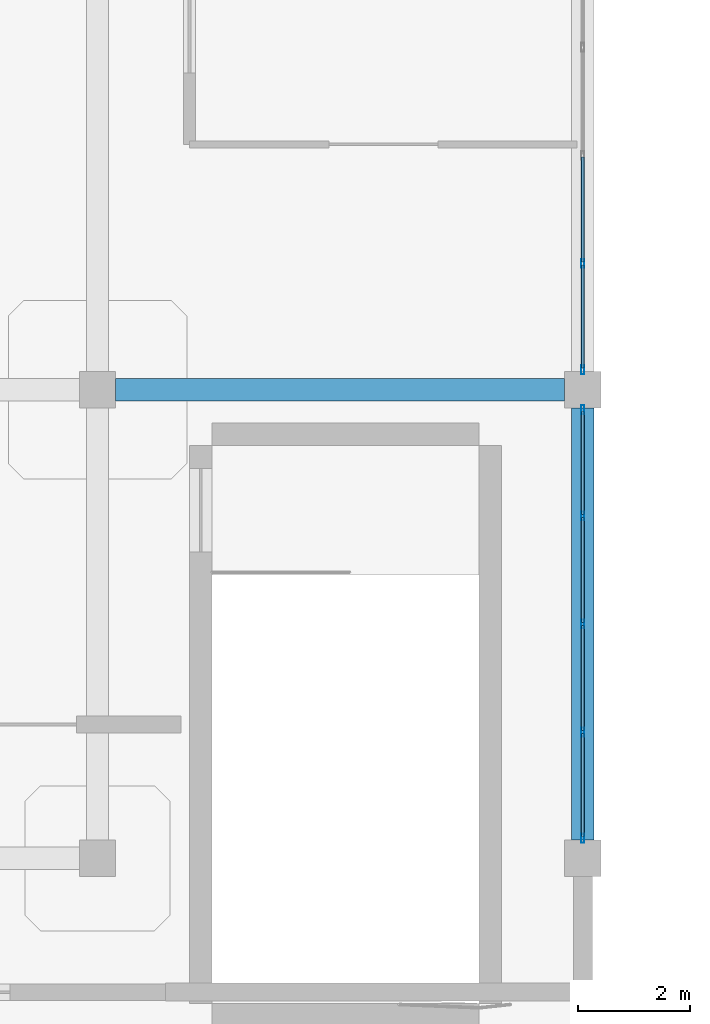
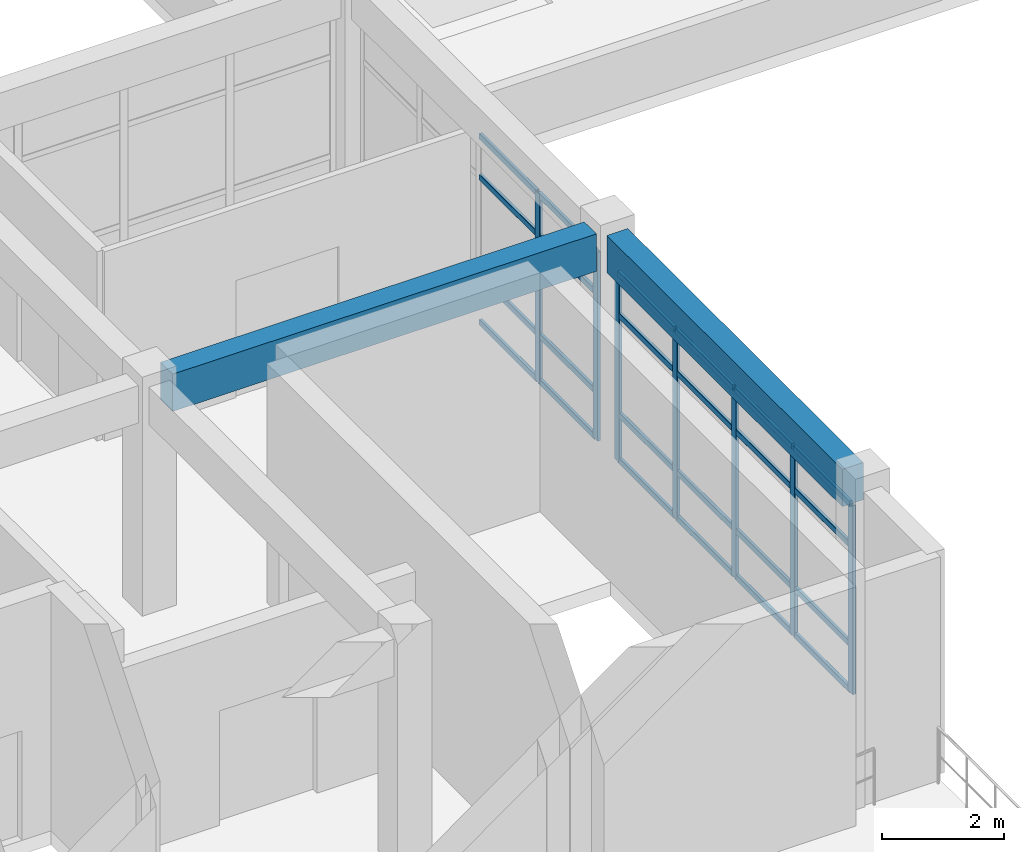
# One storey, part 20 of 41: 31 members, 2 beams, 2 elements without a shape of their own.
"""IFC4 building model written with IfcOpenShell, lengths in metres."""

from ifc_helpers import new_model, si_unit, derived_unit, direction, frame, origin, origin_2d, place, context, subcontext, project, spatial, rectangle, hollow_rectangle, extrude, material, layer, layer_set, material_profile, profile_set, type_object, element, aggregate, save


model = new_model("IFC4")

# Units and contexts
model_context = context("Model", 3, precision=1e-05, world=origin(), true_north=direction((0.0, 1.0)))
body_context = subcontext(model_context, "Body", "Model", "MODEL_VIEW")
ifc_project = project(units=[si_unit("LENGTHUNIT", "METRE"), si_unit("AREAUNIT", "SQUARE_METRE"), si_unit("VOLUMEUNIT", "CUBIC_METRE"), si_unit("PLANEANGLEUNIT", "RADIAN"), si_unit("MASSUNIT", "GRAM", prefix="KILO"), derived_unit("THERMALTRANSMITTANCEUNIT", [(si_unit("MASSUNIT", "GRAM", prefix="KILO"), 1), (si_unit("TIMEUNIT", "SECOND"), -3), (si_unit("THERMODYNAMICTEMPERATUREUNIT", "KELVIN"), -1)])], contexts=[model_context])

# Site, building, storey
site_placement = place(None, origin())
site = spatial("IfcSite", under=ifc_project, at=site_placement, CompositionType="ELEMENT")
building_placement = place(site_placement, origin())
building = spatial("IfcBuilding", under=site, at=building_placement, Name="Qinzheling Arcade Emporium", CompositionType="ELEMENT")
storey_placement = place(building_placement, frame((0.0, 0.0, 36.300048828125)))
storey = spatial("IfcBuildingStorey", under=building, at=storey_placement, Name="L08", CompositionType="ELEMENT", Elevation=36.300048828125)

# Curtain wall, members
ifc_material_1 = material(Name="Anodised aluminium and solar-control double glazing", Category="aluminium")
ifc_layer = layer(ifc_material_1, 0.159912109375, Name="Anodised aluminium and solar-control double glazing", Category="aluminium")
ifc_layer_set = layer_set([ifc_layer], Name="Anodised aluminium and solar-control double glazing")
curtain_wall_type = type_object("IfcCurtainWallType", Name="Arcade Portal Glazed Curtain Wall", PredefinedType="NOTDEFINED", material=ifc_layer_set)
curtain_wall_1_placement = place(storey_placement, origin())
curtain_wall_1 = element("IfcCurtainWall", 1, at=curtain_wall_1_placement, inside=storey, type_object=curtain_wall_type, Name="Curtain Wall CW-L08-448", PredefinedType="NOTDEFINED")
ifc_material_2 = material(Name="Anodised aluminium 6063-T6", Category="aluminium")
ifc_material_profile_1 = material_profile(ifc_material_2, hollow_rectangle(XDim=0.06005859375, YDim=0.159912109375, WallThickness=0.00390625, InnerFilletRadius=0.00390625, OuterFilletRadius=0.008056640625, at=origin_2d()), Name="RHS 160x60x4", Category="aluminium")
ifc_profile_set_1 = profile_set([ifc_material_profile_1], Name="Anodised aluminium 6063-T6")
member_type_1 = type_object("IfcMemberType", Name="Curtain Wall Mullion RHS160x60", PredefinedType="MULLION", material=ifc_profile_set_1)
member_1_placement = place(storey_placement, frame((69.60009765625, 35.863525390625, 0.0), z_axis=(0.0, 0.0, 1.0), x_axis=(1.0, 0.0, 0.0)))
member_1 = element("IfcMember", 2, at=member_1_placement, type_object=member_type_1, Name="CW05 mullion 4", PredefinedType="MULLION", context=body_context, shape_type="SweptSolid", body=[
    extrude(hollow_rectangle(XDim=0.06005859375, YDim=0.159912109375, WallThickness=0.00390625, InnerFilletRadius=0.00390625, OuterFilletRadius=0.008056640625, at=origin_2d()), origin(), (0.0, 0.0, 1.0), 3.794921875),
])
member_2_placement = place(storey_placement, frame((69.60009765625, 33.95703125, 0.0), z_axis=(0.0, 0.0, 1.0), x_axis=(1.0, 0.0, 0.0)))
member_2 = element("IfcMember", 3, at=member_2_placement, type_object=member_type_1, Name="CW05 mullion 5", PredefinedType="MULLION", context=body_context, shape_type="SweptSolid", body=[
    extrude(hollow_rectangle(XDim=0.06005859375, YDim=0.159912109375, WallThickness=0.00390625, InnerFilletRadius=0.00390625, OuterFilletRadius=0.008056640625, at=origin_2d()), origin(), (0.0, 0.0, 1.0), 3.794921875),
])

curtain_wall_2_placement = place(storey_placement, origin())
curtain_wall_2 = element("IfcCurtainWall", 4, at=curtain_wall_2_placement, inside=storey, type_object=curtain_wall_type, Name="Curtain Wall CW-L08-449", PredefinedType="NOTDEFINED")
member_3_placement = place(storey_placement, frame((69.60009765625, 33.242919921875, 0.0), z_axis=(0.0, 0.0, 1.0), x_axis=(1.0, 0.0, 0.0)))
member_3 = element("IfcMember", 5, at=member_3_placement, type_object=member_type_1, Name="CW05 mullion 1", PredefinedType="MULLION", context=body_context, shape_type="SweptSolid", body=[
    extrude(hollow_rectangle(XDim=0.06005859375, YDim=0.159912109375, WallThickness=0.00390625, InnerFilletRadius=0.00390625, OuterFilletRadius=0.008056640625, at=origin_2d()), origin(), (0.0, 0.0, 1.0), 3.794921875),
])
member_4_placement = place(storey_placement, frame((69.60009765625, 31.33642578125, 0.0), z_axis=(0.0, 0.0, 1.0), x_axis=(1.0, 0.0, 0.0)))
member_4 = element("IfcMember", 6, at=member_4_placement, type_object=member_type_1, Name="CW05 mullion 2", PredefinedType="MULLION", context=body_context, shape_type="SweptSolid", body=[
    extrude(hollow_rectangle(XDim=0.06005859375, YDim=0.159912109375, WallThickness=0.00390625, InnerFilletRadius=0.00390625, OuterFilletRadius=0.008056640625, at=origin_2d()), origin(), (0.0, 0.0, 1.0), 3.794921875),
])
member_5_placement = place(storey_placement, frame((69.60009765625, 29.39990234375, 0.0), z_axis=(0.0, 0.0, 1.0), x_axis=(1.0, 0.0, 0.0)))
member_5 = element("IfcMember", 7, at=member_5_placement, type_object=member_type_1, Name="CW05 mullion 3", PredefinedType="MULLION", context=body_context, shape_type="SweptSolid", body=[
    extrude(hollow_rectangle(XDim=0.06005859375, YDim=0.159912109375, WallThickness=0.00390625, InnerFilletRadius=0.00390625, OuterFilletRadius=0.008056640625, at=origin_2d()), origin(), (0.0, 0.0, 1.0), 3.794921875),
])
member_6_placement = place(storey_placement, frame((69.60009765625, 27.46337890625, 0.0), z_axis=(0.0, 0.0, 1.0), x_axis=(1.0, 0.0, 0.0)))
member_6 = element("IfcMember", 8, at=member_6_placement, type_object=member_type_1, Name="CW05 mullion 4", PredefinedType="MULLION", context=body_context, shape_type="SweptSolid", body=[
    extrude(hollow_rectangle(XDim=0.06005859375, YDim=0.159912109375, WallThickness=0.00390625, InnerFilletRadius=0.00390625, OuterFilletRadius=0.008056640625, at=origin_2d()), origin(), (0.0, 0.0, 1.0), 3.794921875),
])
member_7_placement = place(storey_placement, frame((69.60009765625, 25.556884765625, 0.0), z_axis=(0.0, 0.0, 1.0), x_axis=(1.0, 0.0, 0.0)))
member_7 = element("IfcMember", 9, at=member_7_placement, type_object=member_type_1, Name="CW05 mullion 5", PredefinedType="MULLION", context=body_context, shape_type="SweptSolid", body=[
    extrude(hollow_rectangle(XDim=0.06005859375, YDim=0.159912109375, WallThickness=0.00390625, InnerFilletRadius=0.00390625, OuterFilletRadius=0.008056640625, at=origin_2d()), origin(), (0.0, 0.0, 1.0), 3.794921875),
])

# Member
ifc_material_profile_2 = material_profile(ifc_material_2, hollow_rectangle(XDim=0.06005859375, YDim=0.1201171875, WallThickness=0.00390625, InnerFilletRadius=0.00390625, OuterFilletRadius=0.008056640625, at=origin_2d()), Name="RHS 120x60x4", Category="aluminium")
ifc_profile_set_2 = profile_set([ifc_material_profile_2], Name="Anodised aluminium 6063-T6")
member_type_2 = type_object("IfcMemberType", Name="Curtain Wall Transom RHS120x60", PredefinedType="USERDEFINED", material=ifc_profile_set_2)
member_8_placement = place(storey_placement, frame((69.60009765625, 37.77001953125, 0.030029296875), z_axis=(0.0, -1.0, 0.0), x_axis=(1.0, 0.0, 0.0)))
member_8 = element("IfcMember", 10, at=member_8_placement, type_object=member_type_2, Name="CW05 transom 3.1", ObjectType="TRANSOM", PredefinedType="USERDEFINED", context=body_context, shape_type="SweptSolid", body=[
    extrude(hollow_rectangle(XDim=0.06005859375, YDim=0.1201171875, WallThickness=0.00390625, InnerFilletRadius=0.00390625, OuterFilletRadius=0.008056640625, at=origin_2d()), origin(), (0.0, 0.0, 1.0), 1.87646484375),
])

member_9_placement = place(storey_placement, frame((69.60009765625, 37.77001953125, 0.949951171875), z_axis=(0.0, -1.0, 0.0), x_axis=(1.0, 0.0, 0.0)))
member_9 = element("IfcMember", 11, at=member_9_placement, type_object=member_type_2, Name="CW05 transom 3.2", ObjectType="TRANSOM", PredefinedType="USERDEFINED", context=body_context, shape_type="SweptSolid", body=[
    extrude(hollow_rectangle(XDim=0.06005859375, YDim=0.1201171875, WallThickness=0.00390625, InnerFilletRadius=0.00390625, OuterFilletRadius=0.008056640625, at=origin_2d()), origin(), (0.0, 0.0, 1.0), 1.87646484375),
])

member_10_placement = place(storey_placement, frame((69.60009765625, 37.77001953125, 2.945068359375), z_axis=(0.0, -1.0, 0.0), x_axis=(1.0, 0.0, 0.0)))
member_10 = element("IfcMember", 12, at=member_10_placement, type_object=member_type_2, Name="CW05 transom 3.3", ObjectType="TRANSOM", PredefinedType="USERDEFINED", context=body_context, shape_type="SweptSolid", body=[
    extrude(hollow_rectangle(XDim=0.06005859375, YDim=0.1201171875, WallThickness=0.00390625, InnerFilletRadius=0.00390625, OuterFilletRadius=0.008056640625, at=origin_2d()), origin(), (0.0, 0.0, 1.0), 1.87646484375),
])

member_11_placement = place(storey_placement, frame((69.60009765625, 37.77001953125, 3.764892578125), z_axis=(0.0, -1.0, 0.0), x_axis=(1.0, 0.0, 0.0)))
member_11 = element("IfcMember", 13, at=member_11_placement, type_object=member_type_2, Name="CW05 transom 3.4", ObjectType="TRANSOM", PredefinedType="USERDEFINED", context=body_context, shape_type="SweptSolid", body=[
    extrude(hollow_rectangle(XDim=0.06005859375, YDim=0.1201171875, WallThickness=0.00390625, InnerFilletRadius=0.00390625, OuterFilletRadius=0.008056640625, at=origin_2d()), origin(), (0.0, 0.0, 1.0), 1.87646484375),
])

member_12_placement = place(storey_placement, frame((69.60009765625, 35.83349609375, 0.030029296875), z_axis=(0.0, -1.0, 0.0), x_axis=(1.0, 0.0, 0.0)))
member_12 = element("IfcMember", 14, at=member_12_placement, type_object=member_type_2, Name="CW05 transom 4.1", ObjectType="TRANSOM", PredefinedType="USERDEFINED", context=body_context, shape_type="SweptSolid", body=[
    extrude(hollow_rectangle(XDim=0.06005859375, YDim=0.1201171875, WallThickness=0.00390625, InnerFilletRadius=0.00390625, OuterFilletRadius=0.008056640625, at=origin_2d()), origin(), (0.0, 0.0, 1.0), 1.846435546875),
])

member_13_placement = place(storey_placement, frame((69.60009765625, 35.83349609375, 0.949951171875), z_axis=(0.0, -1.0, 0.0), x_axis=(1.0, 0.0, 0.0)))
member_13 = element("IfcMember", 15, at=member_13_placement, type_object=member_type_2, Name="CW05 transom 4.2", ObjectType="TRANSOM", PredefinedType="USERDEFINED", context=body_context, shape_type="SweptSolid", body=[
    extrude(hollow_rectangle(XDim=0.06005859375, YDim=0.1201171875, WallThickness=0.00390625, InnerFilletRadius=0.00390625, OuterFilletRadius=0.008056640625, at=origin_2d()), origin(), (0.0, 0.0, 1.0), 1.846435546875),
])

member_14_placement = place(storey_placement, frame((69.60009765625, 35.83349609375, 2.945068359375), z_axis=(0.0, -1.0, 0.0), x_axis=(1.0, 0.0, 0.0)))
member_14 = element("IfcMember", 16, at=member_14_placement, type_object=member_type_2, Name="CW05 transom 4.3", ObjectType="TRANSOM", PredefinedType="USERDEFINED", context=body_context, shape_type="SweptSolid", body=[
    extrude(hollow_rectangle(XDim=0.06005859375, YDim=0.1201171875, WallThickness=0.00390625, InnerFilletRadius=0.00390625, OuterFilletRadius=0.008056640625, at=origin_2d()), origin(), (0.0, 0.0, 1.0), 1.846435546875),
])

member_15_placement = place(storey_placement, frame((69.60009765625, 35.83349609375, 3.764892578125), z_axis=(0.0, -1.0, 0.0), x_axis=(1.0, 0.0, 0.0)))
member_15 = element("IfcMember", 17, at=member_15_placement, type_object=member_type_2, Name="CW05 transom 4.4", ObjectType="TRANSOM", PredefinedType="USERDEFINED", context=body_context, shape_type="SweptSolid", body=[
    extrude(hollow_rectangle(XDim=0.06005859375, YDim=0.1201171875, WallThickness=0.00390625, InnerFilletRadius=0.00390625, OuterFilletRadius=0.008056640625, at=origin_2d()), origin(), (0.0, 0.0, 1.0), 1.846435546875),
])

aggregate(curtain_wall_1, [member_1, member_2, member_8, member_9, member_10, member_11, member_12, member_13, member_14, member_15])

member_16_placement = place(storey_placement, frame((69.60009765625, 33.212890625, 0.030029296875), z_axis=(0.0, -1.0, 0.0), x_axis=(1.0, 0.0, 0.0)))
member_16 = element("IfcMember", 18, at=member_16_placement, type_object=member_type_2, Name="CW05 transom 1.1", ObjectType="TRANSOM", PredefinedType="USERDEFINED", context=body_context, shape_type="SweptSolid", body=[
    extrude(hollow_rectangle(XDim=0.06005859375, YDim=0.1201171875, WallThickness=0.00390625, InnerFilletRadius=0.00390625, OuterFilletRadius=0.008056640625, at=origin_2d()), origin(), (0.0, 0.0, 1.0), 1.846435546875),
])

member_17_placement = place(storey_placement, frame((69.60009765625, 33.212890625, 0.949951171875), z_axis=(0.0, -1.0, 0.0), x_axis=(1.0, 0.0, 0.0)))
member_17 = element("IfcMember", 19, at=member_17_placement, type_object=member_type_2, Name="CW05 transom 1.2", ObjectType="TRANSOM", PredefinedType="USERDEFINED", context=body_context, shape_type="SweptSolid", body=[
    extrude(hollow_rectangle(XDim=0.06005859375, YDim=0.1201171875, WallThickness=0.00390625, InnerFilletRadius=0.00390625, OuterFilletRadius=0.008056640625, at=origin_2d()), origin(), (0.0, 0.0, 1.0), 1.846435546875),
])

member_18_placement = place(storey_placement, frame((69.60009765625, 33.212890625, 2.945068359375), z_axis=(0.0, -1.0, 0.0), x_axis=(1.0, 0.0, 0.0)))
member_18 = element("IfcMember", 20, at=member_18_placement, type_object=member_type_2, Name="CW05 transom 1.3", ObjectType="TRANSOM", PredefinedType="USERDEFINED", context=body_context, shape_type="SweptSolid", body=[
    extrude(hollow_rectangle(XDim=0.06005859375, YDim=0.1201171875, WallThickness=0.00390625, InnerFilletRadius=0.00390625, OuterFilletRadius=0.008056640625, at=origin_2d()), origin(), (0.0, 0.0, 1.0), 1.846435546875),
])

member_19_placement = place(storey_placement, frame((69.60009765625, 33.212890625, 3.764892578125), z_axis=(0.0, -1.0, 0.0), x_axis=(1.0, 0.0, 0.0)))
member_19 = element("IfcMember", 21, at=member_19_placement, type_object=member_type_2, Name="CW05 transom 1.4", ObjectType="TRANSOM", PredefinedType="USERDEFINED", context=body_context, shape_type="SweptSolid", body=[
    extrude(hollow_rectangle(XDim=0.06005859375, YDim=0.1201171875, WallThickness=0.00390625, InnerFilletRadius=0.00390625, OuterFilletRadius=0.008056640625, at=origin_2d()), origin(), (0.0, 0.0, 1.0), 1.846435546875),
])

member_20_placement = place(storey_placement, frame((69.60009765625, 31.306396484375, 0.030029296875), z_axis=(0.0, -1.0, 0.0), x_axis=(1.0, 0.0, 0.0)))
member_20 = element("IfcMember", 22, at=member_20_placement, type_object=member_type_2, Name="CW05 transom 2.1", ObjectType="TRANSOM", PredefinedType="USERDEFINED", context=body_context, shape_type="SweptSolid", body=[
    extrude(hollow_rectangle(XDim=0.06005859375, YDim=0.1201171875, WallThickness=0.00390625, InnerFilletRadius=0.00390625, OuterFilletRadius=0.008056640625, at=origin_2d()), origin(), (0.0, 0.0, 1.0), 1.87646484375),
])

member_21_placement = place(storey_placement, frame((69.60009765625, 31.306396484375, 0.949951171875), z_axis=(0.0, -1.0, 0.0), x_axis=(1.0, 0.0, 0.0)))
member_21 = element("IfcMember", 23, at=member_21_placement, type_object=member_type_2, Name="CW05 transom 2.2", ObjectType="TRANSOM", PredefinedType="USERDEFINED", context=body_context, shape_type="SweptSolid", body=[
    extrude(hollow_rectangle(XDim=0.06005859375, YDim=0.1201171875, WallThickness=0.00390625, InnerFilletRadius=0.00390625, OuterFilletRadius=0.008056640625, at=origin_2d()), origin(), (0.0, 0.0, 1.0), 1.87646484375),
])

member_22_placement = place(storey_placement, frame((69.60009765625, 31.306396484375, 2.945068359375), z_axis=(0.0, -1.0, 0.0), x_axis=(1.0, 0.0, 0.0)))
member_22 = element("IfcMember", 24, at=member_22_placement, type_object=member_type_2, Name="CW05 transom 2.3", ObjectType="TRANSOM", PredefinedType="USERDEFINED", context=body_context, shape_type="SweptSolid", body=[
    extrude(hollow_rectangle(XDim=0.06005859375, YDim=0.1201171875, WallThickness=0.00390625, InnerFilletRadius=0.00390625, OuterFilletRadius=0.008056640625, at=origin_2d()), origin(), (0.0, 0.0, 1.0), 1.87646484375),
])

member_23_placement = place(storey_placement, frame((69.60009765625, 31.306396484375, 3.764892578125), z_axis=(0.0, -1.0, 0.0), x_axis=(1.0, 0.0, 0.0)))
member_23 = element("IfcMember", 25, at=member_23_placement, type_object=member_type_2, Name="CW05 transom 2.4", ObjectType="TRANSOM", PredefinedType="USERDEFINED", context=body_context, shape_type="SweptSolid", body=[
    extrude(hollow_rectangle(XDim=0.06005859375, YDim=0.1201171875, WallThickness=0.00390625, InnerFilletRadius=0.00390625, OuterFilletRadius=0.008056640625, at=origin_2d()), origin(), (0.0, 0.0, 1.0), 1.87646484375),
])

member_24_placement = place(storey_placement, frame((69.60009765625, 29.3701171875, 0.030029296875), z_axis=(0.0, -1.0, 0.0), x_axis=(1.0, 0.0, 0.0)))
member_24 = element("IfcMember", 26, at=member_24_placement, type_object=member_type_2, Name="CW05 transom 3.1", ObjectType="TRANSOM", PredefinedType="USERDEFINED", context=body_context, shape_type="SweptSolid", body=[
    extrude(hollow_rectangle(XDim=0.06005859375, YDim=0.1201171875, WallThickness=0.00390625, InnerFilletRadius=0.00390625, OuterFilletRadius=0.008056640625, at=origin_2d()), origin(), (0.0, 0.0, 1.0), 1.876708984375),
])

member_25_placement = place(storey_placement, frame((69.60009765625, 29.3701171875, 0.949951171875), z_axis=(0.0, -1.0, 0.0), x_axis=(1.0, 0.0, 0.0)))
member_25 = element("IfcMember", 27, at=member_25_placement, type_object=member_type_2, Name="CW05 transom 3.2", ObjectType="TRANSOM", PredefinedType="USERDEFINED", context=body_context, shape_type="SweptSolid", body=[
    extrude(hollow_rectangle(XDim=0.06005859375, YDim=0.1201171875, WallThickness=0.00390625, InnerFilletRadius=0.00390625, OuterFilletRadius=0.008056640625, at=origin_2d()), origin(), (0.0, 0.0, 1.0), 1.876708984375),
])

member_26_placement = place(storey_placement, frame((69.60009765625, 29.3701171875, 2.945068359375), z_axis=(0.0, -1.0, 0.0), x_axis=(1.0, 0.0, 0.0)))
member_26 = element("IfcMember", 28, at=member_26_placement, type_object=member_type_2, Name="CW05 transom 3.3", ObjectType="TRANSOM", PredefinedType="USERDEFINED", context=body_context, shape_type="SweptSolid", body=[
    extrude(hollow_rectangle(XDim=0.06005859375, YDim=0.1201171875, WallThickness=0.00390625, InnerFilletRadius=0.00390625, OuterFilletRadius=0.008056640625, at=origin_2d()), origin(), (0.0, 0.0, 1.0), 1.876708984375),
])

member_27_placement = place(storey_placement, frame((69.60009765625, 29.3701171875, 3.764892578125), z_axis=(0.0, -1.0, 0.0), x_axis=(1.0, 0.0, 0.0)))
member_27 = element("IfcMember", 29, at=member_27_placement, type_object=member_type_2, Name="CW05 transom 3.4", ObjectType="TRANSOM", PredefinedType="USERDEFINED", context=body_context, shape_type="SweptSolid", body=[
    extrude(hollow_rectangle(XDim=0.06005859375, YDim=0.1201171875, WallThickness=0.00390625, InnerFilletRadius=0.00390625, OuterFilletRadius=0.008056640625, at=origin_2d()), origin(), (0.0, 0.0, 1.0), 1.876708984375),
])

member_28_placement = place(storey_placement, frame((69.60009765625, 27.43359375, 0.030029296875), z_axis=(0.0, -1.0, 0.0), x_axis=(1.0, 0.0, 0.0)))
member_28 = element("IfcMember", 30, at=member_28_placement, type_object=member_type_2, Name="CW05 transom 4.1", ObjectType="TRANSOM", PredefinedType="USERDEFINED", context=body_context, shape_type="SweptSolid", body=[
    extrude(hollow_rectangle(XDim=0.06005859375, YDim=0.1201171875, WallThickness=0.00390625, InnerFilletRadius=0.00390625, OuterFilletRadius=0.008056640625, at=origin_2d()), origin(), (0.0, 0.0, 1.0), 1.8466796875),
])

member_29_placement = place(storey_placement, frame((69.60009765625, 27.43359375, 0.949951171875), z_axis=(0.0, -1.0, 0.0), x_axis=(1.0, 0.0, 0.0)))
member_29 = element("IfcMember", 31, at=member_29_placement, type_object=member_type_2, Name="CW05 transom 4.2", ObjectType="TRANSOM", PredefinedType="USERDEFINED", context=body_context, shape_type="SweptSolid", body=[
    extrude(hollow_rectangle(XDim=0.06005859375, YDim=0.1201171875, WallThickness=0.00390625, InnerFilletRadius=0.00390625, OuterFilletRadius=0.008056640625, at=origin_2d()), origin(), (0.0, 0.0, 1.0), 1.8466796875),
])

member_30_placement = place(storey_placement, frame((69.60009765625, 27.43359375, 2.945068359375), z_axis=(0.0, -1.0, 0.0), x_axis=(1.0, 0.0, 0.0)))
member_30 = element("IfcMember", 32, at=member_30_placement, type_object=member_type_2, Name="CW05 transom 4.3", ObjectType="TRANSOM", PredefinedType="USERDEFINED", context=body_context, shape_type="SweptSolid", body=[
    extrude(hollow_rectangle(XDim=0.06005859375, YDim=0.1201171875, WallThickness=0.00390625, InnerFilletRadius=0.00390625, OuterFilletRadius=0.008056640625, at=origin_2d()), origin(), (0.0, 0.0, 1.0), 1.8466796875),
])

member_31_placement = place(storey_placement, frame((69.60009765625, 27.43359375, 3.764892578125), z_axis=(0.0, -1.0, 0.0), x_axis=(1.0, 0.0, 0.0)))
member_31 = element("IfcMember", 33, at=member_31_placement, type_object=member_type_2, Name="CW05 transom 4.4", ObjectType="TRANSOM", PredefinedType="USERDEFINED", context=body_context, shape_type="SweptSolid", body=[
    extrude(hollow_rectangle(XDim=0.06005859375, YDim=0.1201171875, WallThickness=0.00390625, InnerFilletRadius=0.00390625, OuterFilletRadius=0.008056640625, at=origin_2d()), origin(), (0.0, 0.0, 1.0), 1.8466796875),
])

aggregate(curtain_wall_2, [member_3, member_4, member_5, member_6, member_7, member_16, member_17, member_18, member_19, member_20, member_21, member_22, member_23, member_24, member_25, member_26, member_27, member_28, member_29, member_30, member_31])

# Beams
ifc_material_3 = material(Name="Concrete C40", Category="concrete")
ifc_material_profile_3 = material_profile(ifc_material_3, rectangle(XDim=0.39990234375, YDim=0.75, at=origin_2d()), Name="RC 400x750", Category="concrete")
ifc_profile_set_3 = profile_set([ifc_material_profile_3], Name="Concrete C40")
beam_type = type_object("IfcBeamType", Name="RC Interior Tie Beam 400x750 C40", PredefinedType="BEAM", material=ifc_profile_set_3)
beam_1_placement = place(storey_placement, frame((61.22509765625, 33.60009765625, 4.18505859375), z_axis=(1.0, 0.0, 0.0), x_axis=(0.0, 1.0, 0.0)))
element("IfcBeam", 34, at=beam_1_placement, inside=storey, type_object=beam_type, Name="Beam BM-L08-X-E-8", PredefinedType="BEAM", context=body_context, shape_type="SweptSolid", body=[
    extrude(rectangle(XDim=0.39990234375, YDim=0.75, at=origin_2d()), origin(), (0.0, 0.0, 1.0), 8.0498046875),
])
beam_2_placement = place(storey_placement, frame((69.60009765625, 25.52490234375, 4.18505859375), z_axis=(0.0, 1.0, 0.0), x_axis=(-1.0, 0.0, 0.0)))
element("IfcBeam", 35, at=beam_2_placement, inside=storey, type_object=beam_type, Name="Beam BM-L08-Y-9-D", PredefinedType="BEAM", context=body_context, shape_type="SweptSolid", body=[
    extrude(rectangle(XDim=0.39990234375, YDim=0.75, at=origin_2d()), origin(), (0.0, 0.0, 1.0), 7.75),
])

save(model, "model.ifc")
